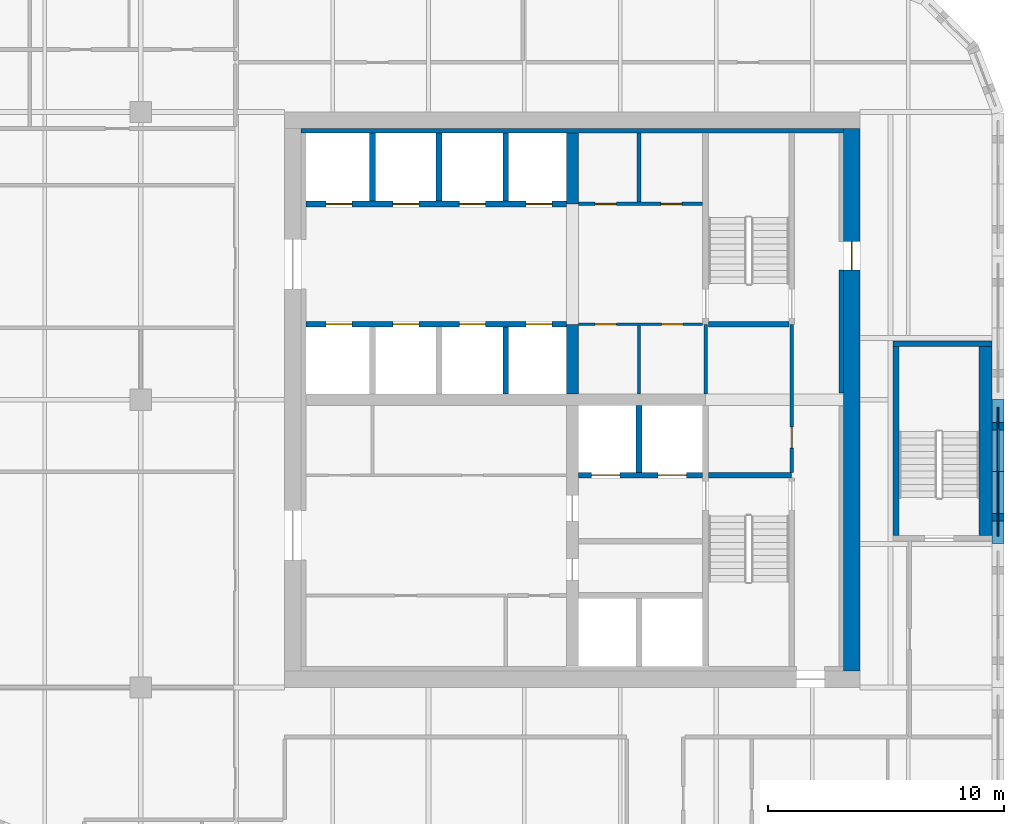
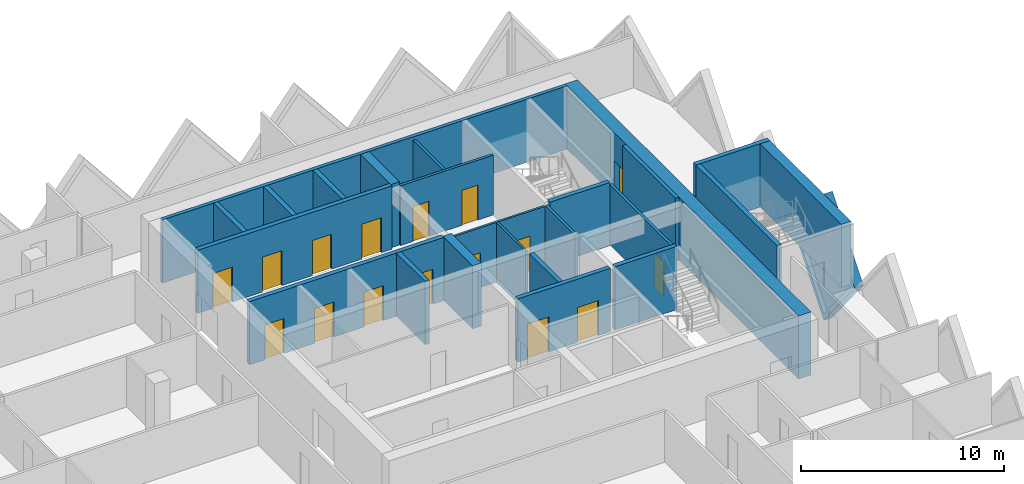
# One storey, part 9 of 12: 25 walls, 16 doors, 1 plate, 17 openings.
"""IFC4 building model written with IfcOpenShell, lengths in metres."""

from ifc_helpers import new_model, si_unit, direction, frame, frame_2d, origin, place, context, subcontext, project, spatial, polyline, rectangle, outline, extrude, source, transform, mapped, material, layer, layer_set, type_object, element, fill, save


model = new_model("IFC4")

# Units and contexts
model_context = context("Model", 3, precision=1e-05, world=origin(), true_north=direction((0.0, 1.0)))
body_context = subcontext(model_context, "Body", "Model", "MODEL_VIEW")
ifc_project = project(units=[si_unit("LENGTHUNIT", "METRE"), si_unit("AREAUNIT", "SQUARE_METRE"), si_unit("VOLUMEUNIT", "CUBIC_METRE"), si_unit("PLANEANGLEUNIT", "RADIAN"), si_unit("MASSUNIT", "GRAM", prefix="KILO")], contexts=[model_context])

# Site, building, storey
site_placement = place(None, origin())
site = spatial("IfcSite", under=ifc_project, at=site_placement, CompositionType="ELEMENT")
building_placement = place(site_placement, origin())
building = spatial("IfcBuilding", under=site, at=building_placement, Name="Tessera Gate Towers", CompositionType="ELEMENT")
storey_placement = place(building_placement, frame((0.0, 0.0, 135.39990234375)))
storey = spatial("IfcBuildingStorey", under=building, at=storey_placement, Name="L33", CompositionType="ELEMENT", Elevation=135.39990234375)

# Wall, openings, doors
ifc_material_1 = material(Name="Concrete C40/50", Category="concrete")
ifc_layer_1 = layer(ifc_material_1, 0.25)
ifc_layer_set_1 = layer_set([ifc_layer_1], Name="CORE ENCLOSURE WALL 250")
wall_type_1 = type_object("IfcWallType", Name="CORE ENCLOSURE WALL 250", PredefinedType="SOLIDWALL", material=ifc_layer_set_1)
wall_1_placement = place(storey_placement, frame((31.39990234375, 39.800048828125, 0.0), z_axis=(0.0, 0.0, 1.0), x_axis=(1.0, 0.0, 0.0)))
wall_1 = element("IfcWall", 1, at=wall_1_placement, inside=storey, type_object=wall_type_1, Name="L33 shaft and stair enclosure wall", PredefinedType="SOLIDWALL", context=body_context, shape_type="SweptSolid", body=[
    extrude(rectangle(XDim=11.050048828125, YDim=0.25, at=frame_2d((5.52490234375, 0.0))), origin(), (0.0, 0.0, 1.0), 3.800048828125),
])
shared_shape_1 = source(origin(), body_context, "Body", "SweptSolid", [
    extrude(rectangle(XDim=1.10009765625, YDim=2.10009765625, at=frame_2d((0.550048828125, 1.050048828125))), frame((0.0, 0.135009765625, 0.0), z_axis=(0.0, -1.0, 0.0), x_axis=(1.0, 0.0, 0.0)), (0.0, 0.0, 1.0), 0.27001953125),
])
opening_1_placement = place(wall_1_placement, frame((0.862548828125, 0.0, 0.0)))
opening_1 = element("IfcOpeningElement", 2, at=opening_1_placement, cuts=wall_1, Name="Opening LD-HR1", PredefinedType="OPENING", context=body_context, shape_type="MappedRepresentation", body=[
    mapped(shared_shape_1, transform((0.0, 0.0, 0.0), scale=1.0)),
])
opening_2_placement = place(wall_1_placement, frame((3.6875, 0.0, 0.0)))
opening_2 = element("IfcOpeningElement", 3, at=opening_2_placement, cuts=wall_1, Name="Opening LD-HR2", PredefinedType="OPENING", context=body_context, shape_type="MappedRepresentation", body=[
    mapped(shared_shape_1, transform((0.0, 0.0, 0.0), scale=1.0)),
])
opening_3_placement = place(wall_1_placement, frame((6.512451171875, 0.0, 0.0)))
opening_3 = element("IfcOpeningElement", 4, at=opening_3_placement, cuts=wall_1, Name="Opening LD-HR3", PredefinedType="OPENING", context=body_context, shape_type="MappedRepresentation", body=[
    mapped(shared_shape_1, transform((0.0, 0.0, 0.0), scale=1.0)),
])
opening_4_placement = place(wall_1_placement, frame((9.33740234375, 0.0, 0.0)))
opening_4 = element("IfcOpeningElement", 5, at=opening_4_placement, cuts=wall_1, Name="Opening LD-HR4", PredefinedType="OPENING", context=body_context, shape_type="MappedRepresentation", body=[
    mapped(shared_shape_1, transform((0.0, 0.0, 0.0), scale=1.0)),
])
ifc_material_2 = material(Name="Stainless steel", Category="steel")
door_type_1 = type_object("IfcDoorType", Name="CORE DOOR LD 1100x2100", OperationType="DOUBLE_DOOR_SLIDING", PredefinedType="DOOR", material=ifc_material_2)
shared_shape_2 = source(origin(), body_context, "Body", "SweptSolid", [
    extrude(rectangle(XDim=1.10009765625, YDim=2.10009765625, at=frame_2d((0.550048828125, 1.050048828125))), frame((0.0, 0.02490234375, 0.0), z_axis=(0.0, -1.0, 0.0), x_axis=(1.0, 0.0, 0.0)), (0.0, 0.0, 1.0), 0.050048828125),
])
door_1_placement = place(opening_1_placement, origin())
door_1 = element("IfcDoor", 6, at=door_1_placement, inside=storey, type_object=door_type_1, Name="Landing door HR1 L33", OperationType="DOUBLE_DOOR_SLIDING", OverallHeight=2.10009765625, OverallWidth=1.10009765625, PredefinedType="DOOR", context=body_context, shape_type="MappedRepresentation", body=[
    mapped(shared_shape_2, transform((0.0, 0.0, 0.0), scale=1.0)),
])
fill(opening_1, door_1)
door_2_placement = place(opening_2_placement, origin())
door_2 = element("IfcDoor", 7, at=door_2_placement, inside=storey, type_object=door_type_1, Name="Landing door HR2 L33", OperationType="DOUBLE_DOOR_SLIDING", OverallHeight=2.10009765625, OverallWidth=1.10009765625, PredefinedType="DOOR", context=body_context, shape_type="MappedRepresentation", body=[
    mapped(shared_shape_2, transform((0.0, 0.0, 0.0), scale=1.0)),
])
fill(opening_2, door_2)
door_3_placement = place(opening_3_placement, origin())
door_3 = element("IfcDoor", 8, at=door_3_placement, inside=storey, type_object=door_type_1, Name="Landing door HR3 L33", OperationType="DOUBLE_DOOR_SLIDING", OverallHeight=2.10009765625, OverallWidth=1.10009765625, PredefinedType="DOOR", context=body_context, shape_type="MappedRepresentation", body=[
    mapped(shared_shape_2, transform((0.0, 0.0, 0.0), scale=1.0)),
])
fill(opening_3, door_3)
door_4_placement = place(opening_4_placement, origin())
door_4 = element("IfcDoor", 9, at=door_4_placement, inside=storey, type_object=door_type_1, Name="Landing door HR4 L33", OperationType="DOUBLE_DOOR_SLIDING", OverallHeight=2.10009765625, OverallWidth=1.10009765625, PredefinedType="DOOR", context=body_context, shape_type="MappedRepresentation", body=[
    mapped(shared_shape_2, transform((0.0, 0.0, 0.0), scale=1.0)),
])
fill(opening_4, door_4)

wall_2_placement = place(storey_placement, frame((42.449951171875, 44.89990234375, 0.0), z_axis=(0.0, 0.0, 1.0), x_axis=(-1.0, 0.0, 0.0)))
wall_2 = element("IfcWall", 10, at=wall_2_placement, inside=storey, type_object=wall_type_1, Name="L33 shaft and stair enclosure wall", PredefinedType="SOLIDWALL", context=body_context, shape_type="SweptSolid", body=[
    extrude(rectangle(XDim=11.050048828125, YDim=0.25, at=frame_2d((5.52490234375, 0.0))), origin(), (0.0, 0.0, 1.0), 3.800048828125),
])
opening_5_placement = place(wall_2_placement, frame((9.08740234375, 0.0, 0.0)))
opening_5 = element("IfcOpeningElement", 11, at=opening_5_placement, cuts=wall_2, Name="Opening LD-HR5", PredefinedType="OPENING", context=body_context, shape_type="MappedRepresentation", body=[
    mapped(shared_shape_1, transform((0.0, 0.0, 0.0), scale=1.0)),
])
opening_6_placement = place(wall_2_placement, frame((6.262451171875, 0.0, 0.0)))
opening_6 = element("IfcOpeningElement", 12, at=opening_6_placement, cuts=wall_2, Name="Opening LD-HR6", PredefinedType="OPENING", context=body_context, shape_type="MappedRepresentation", body=[
    mapped(shared_shape_1, transform((0.0, 0.0, 0.0), scale=1.0)),
])
opening_7_placement = place(wall_2_placement, frame((3.4375, 0.0, 0.0)))
opening_7 = element("IfcOpeningElement", 13, at=opening_7_placement, cuts=wall_2, Name="Opening LD-HR7", PredefinedType="OPENING", context=body_context, shape_type="MappedRepresentation", body=[
    mapped(shared_shape_1, transform((0.0, 0.0, 0.0), scale=1.0)),
])
opening_8_placement = place(wall_2_placement, frame((0.612548828125, 0.0, 0.0)))
opening_8 = element("IfcOpeningElement", 14, at=opening_8_placement, cuts=wall_2, Name="Opening LD-HR8", PredefinedType="OPENING", context=body_context, shape_type="MappedRepresentation", body=[
    mapped(shared_shape_1, transform((0.0, 0.0, 0.0), scale=1.0)),
])
door_5_placement = place(opening_5_placement, origin())
door_5 = element("IfcDoor", 15, at=door_5_placement, inside=storey, type_object=door_type_1, Name="Landing door HR5 L33", OperationType="DOUBLE_DOOR_SLIDING", OverallHeight=2.10009765625, OverallWidth=1.10009765625, PredefinedType="DOOR", context=body_context, shape_type="MappedRepresentation", body=[
    mapped(shared_shape_2, transform((0.0, 0.0, 0.0), scale=1.0)),
])
fill(opening_5, door_5)
door_6_placement = place(opening_6_placement, origin())
door_6 = element("IfcDoor", 16, at=door_6_placement, inside=storey, type_object=door_type_1, Name="Landing door HR6 L33", OperationType="DOUBLE_DOOR_SLIDING", OverallHeight=2.10009765625, OverallWidth=1.10009765625, PredefinedType="DOOR", context=body_context, shape_type="MappedRepresentation", body=[
    mapped(shared_shape_2, transform((0.0, 0.0, 0.0), scale=1.0)),
])
fill(opening_6, door_6)
door_7_placement = place(opening_7_placement, origin())
door_7 = element("IfcDoor", 17, at=door_7_placement, inside=storey, type_object=door_type_1, Name="Landing door HR7 L33", OperationType="DOUBLE_DOOR_SLIDING", OverallHeight=2.10009765625, OverallWidth=1.10009765625, PredefinedType="DOOR", context=body_context, shape_type="MappedRepresentation", body=[
    mapped(shared_shape_2, transform((0.0, 0.0, 0.0), scale=1.0)),
])
fill(opening_7, door_7)
door_8_placement = place(opening_8_placement, origin())
door_8 = element("IfcDoor", 18, at=door_8_placement, inside=storey, type_object=door_type_1, Name="Landing door HR8 L33", OperationType="DOUBLE_DOOR_SLIDING", OverallHeight=2.10009765625, OverallWidth=1.10009765625, PredefinedType="DOOR", context=body_context, shape_type="MappedRepresentation", body=[
    mapped(shared_shape_2, transform((0.0, 0.0, 0.0), scale=1.0)),
])
fill(opening_8, door_8)

wall_3_placement = place(storey_placement, frame((48.22509765625, 33.39990234375, 0.0), z_axis=(0.0, 0.0, 1.0), x_axis=(-1.0, 0.0, 0.0)))
wall_3 = element("IfcWall", 19, at=wall_3_placement, inside=storey, type_object=wall_type_1, Name="L33 shaft and stair enclosure wall", PredefinedType="SOLIDWALL", context=body_context, shape_type="SweptSolid", body=[
    extrude(rectangle(XDim=5.275146484375, YDim=0.25, at=frame_2d((2.6376953125, 0.0))), origin(), (0.0, 0.0, 1.0), 3.800048828125),
])
shared_shape_3 = source(origin(), body_context, "Body", "SweptSolid", [
    extrude(rectangle(XDim=1.199951171875, YDim=2.10009765625, at=frame_2d((0.60009765625, 1.050048828125))), frame((0.0, 0.135009765625, 0.0), z_axis=(0.0, -1.0, 0.0), x_axis=(1.0, 0.0, 0.0)), (0.0, 0.0, 1.0), 0.27001953125),
])
opening_9_placement = place(wall_3_placement, frame((3.512451171875, 0.0, 0.0)))
opening_9 = element("IfcOpeningElement", 20, at=opening_9_placement, cuts=wall_3, Name="Opening LD-FF1", PredefinedType="OPENING", context=body_context, shape_type="MappedRepresentation", body=[
    mapped(shared_shape_3, transform((0.0, 0.0, 0.0), scale=1.0)),
])
opening_10_placement = place(wall_3_placement, frame((0.6875, 0.0, 0.0)))
opening_10 = element("IfcOpeningElement", 21, at=opening_10_placement, cuts=wall_3, Name="Opening LD-FF2", PredefinedType="OPENING", context=body_context, shape_type="MappedRepresentation", body=[
    mapped(shared_shape_3, transform((0.0, 0.0, 0.0), scale=1.0)),
])
ifc_material_3 = material(Name="Stainless steel", Category="steel")
door_type_2 = type_object("IfcDoorType", Name="CORE DOOR LD1200 1200x2100", OperationType="DOUBLE_DOOR_SLIDING", PredefinedType="DOOR", material=ifc_material_3)
shared_shape_4 = source(origin(), body_context, "Body", "SweptSolid", [
    extrude(rectangle(XDim=1.199951171875, YDim=2.10009765625, at=frame_2d((0.60009765625, 1.050048828125))), frame((0.0, 0.02490234375, 0.0), z_axis=(0.0, -1.0, 0.0), x_axis=(1.0, 0.0, 0.0)), (0.0, 0.0, 1.0), 0.050048828125),
])
door_9_placement = place(opening_9_placement, origin())
door_9 = element("IfcDoor", 22, at=door_9_placement, inside=storey, type_object=door_type_2, Name="Landing door FF1 L33", OperationType="DOUBLE_DOOR_SLIDING", OverallHeight=2.10009765625, OverallWidth=1.199951171875, PredefinedType="DOOR", context=body_context, shape_type="MappedRepresentation", body=[
    mapped(shared_shape_4, transform((0.0, 0.0, 0.0), scale=1.0)),
])
fill(opening_9, door_9)
door_10_placement = place(opening_10_placement, origin())
door_10 = element("IfcDoor", 23, at=door_10_placement, inside=storey, type_object=door_type_2, Name="Landing door FF2 L33", OperationType="DOUBLE_DOOR_SLIDING", OverallHeight=2.10009765625, OverallWidth=1.199951171875, PredefinedType="DOOR", context=body_context, shape_type="MappedRepresentation", body=[
    mapped(shared_shape_4, transform((0.0, 0.0, 0.0), scale=1.0)),
])
fill(opening_10, door_10)

# Walls
wall_4_placement = place(storey_placement, frame((48.47509765625, 33.39990234375, 0.0), z_axis=(0.0, 0.0, 1.0), x_axis=(1.0, 0.0, 0.0)))
element("IfcWall", 24, at=wall_4_placement, inside=storey, type_object=wall_type_1, Name="L33 shaft and stair enclosure wall", PredefinedType="SOLIDWALL", context=body_context, shape_type="SweptSolid", body=[
    extrude(rectangle(XDim=3.52490234375, YDim=0.25, at=frame_2d((1.762451171875, 0.0))), origin(), (0.0, 0.0, 1.0), 3.800048828125),
])
wall_5_placement = place(storey_placement, frame((48.47509765625, 39.800048828125, 0.0), z_axis=(0.0, 0.0, 1.0), x_axis=(1.0, 0.0, 0.0)))
element("IfcWall", 25, at=wall_5_placement, inside=storey, type_object=wall_type_1, Name="L33 shaft and stair enclosure wall", PredefinedType="SOLIDWALL", context=body_context, shape_type="SweptSolid", body=[
    extrude(rectangle(XDim=3.39990234375, YDim=0.25, at=frame_2d((1.699951171875, 0.0))), origin(), (0.0, 0.0, 1.0), 3.800048828125),
])
wall_6_placement = place(storey_placement, frame((39.875, 36.85009765625, 0.0), z_axis=(0.0, 0.0, 1.0), x_axis=(0.0, 1.0, 0.0)))
element("IfcWall", 26, at=wall_6_placement, inside=storey, type_object=wall_type_1, Name="L33 shaft and stair enclosure wall", PredefinedType="SOLIDWALL", context=body_context, shape_type="SweptSolid", body=[
    extrude(rectangle(XDim=2.824951171875, YDim=0.25, at=frame_2d((1.41259765625, 0.0))), origin(), (0.0, 0.0, 1.0), 3.800048828125),
])
wall_7_placement = place(storey_placement, frame((45.52490234375, 33.52490234375, 0.0), z_axis=(0.0, 0.0, 1.0), x_axis=(0.0, 1.0, 0.0)))
element("IfcWall", 27, at=wall_7_placement, inside=storey, type_object=wall_type_1, Name="L33 shaft and stair enclosure wall", PredefinedType="SOLIDWALL", context=body_context, shape_type="SweptSolid", body=[
    extrude(rectangle(XDim=2.8251953125, YDim=0.25, at=frame_2d((1.41259765625, 0.0))), origin(), (0.0, 0.0, 1.0), 3.800048828125),
])
for number, where, z_axis, x_axis, name in (
    (28, (34.22509765625, 45.02490234375, 0.0), (0.0, 0.0, 1.0), (0.0, 1.0, 0.0), "L33 shaft and stair enclosure wall"),
    (29, (37.050048828125, 45.02490234375, 0.0), (0.0, 0.0, 1.0), (0.0, 1.0, 0.0), "L33 shaft and stair enclosure wall"),
    (30, (39.875, 45.02490234375, 0.0), (0.0, 0.0, 1.0), (0.0, 1.0, 0.0), "L33 shaft and stair enclosure wall"),
):
    element("IfcWall", number, at=place(storey_placement, frame(where, z_axis=z_axis, x_axis=x_axis)), inside=storey, type_object=wall_type_1, Name=name, PredefinedType="SOLIDWALL", context=body_context, shape_type="SweptSolid", body=[
        extrude(rectangle(XDim=2.875, YDim=0.25, at=frame_2d((1.4375, 0.0))), origin(), (0.0, 0.0, 1.0), 3.800048828125),
    ])
wall_8_placement = place(storey_placement, frame((56.425048828125, 30.85009765625, 0.0), z_axis=(0.0, 0.0, 1.0), x_axis=(0.0, 1.0, 0.0)))
element("IfcWall", 31, at=wall_8_placement, inside=storey, type_object=wall_type_1, Name="L33 ST5 enclosure wall", PredefinedType="SOLIDWALL", context=body_context, shape_type="SweptSolid", body=[
    extrude(rectangle(XDim=8.0, YDim=0.25, at=frame_2d((4.0, 0.0))), origin(), (0.0, 0.0, 1.0), 3.800048828125),
])
wall_9_placement = place(storey_placement, frame((56.300048828125, 38.97509765625, 0.0), z_axis=(0.0, 0.0, 1.0), x_axis=(1.0, 0.0, 0.0)))
element("IfcWall", 32, at=wall_9_placement, inside=storey, type_object=wall_type_1, Name="L33 ST5 enclosure wall", PredefinedType="SOLIDWALL", context=body_context, shape_type="SweptSolid", body=[
    extrude(rectangle(XDim=4.199951171875, YDim=0.25, at=frame_2d((2.10009765625, 0.0))), origin(), (0.0, 0.0, 1.0), 3.800048828125),
])
ifc_material_4 = material(Name="Concrete C40/50", Category="concrete")
ifc_layer_2 = layer(ifc_material_4, 0.550048828125)
ifc_layer_set_2 = layer_set([ifc_layer_2], Name="CORE ENCLOSURE WALL 550")
wall_type_2 = type_object("IfcWallType", Name="CORE ENCLOSURE WALL 550", PredefinedType="SOLIDWALL", material=ifc_layer_set_2)
wall_10_placement = place(storey_placement, frame((60.22509765625, 38.85009765625, 0.0), z_axis=(0.0, 0.0, 1.0), x_axis=(0.0, -1.0, 0.0)))
element("IfcWall", 33, at=wall_10_placement, inside=storey, type_object=wall_type_2, Name="L33 ST5 enclosure wall", PredefinedType="SOLIDWALL", context=body_context, shape_type="SweptSolid", body=[
    extrude(rectangle(XDim=8.0, YDim=0.550048828125, at=frame_2d((4.0, 0.0))), origin(), (0.0, 0.0, 1.0), 3.800048828125),
])

# Wall, openings, doors
ifc_material_5 = material(Name="Gypsum board on steel studs", Category="steel")
ifc_layer_3 = layer(ifc_material_5, 0.1201171875)
ifc_layer_set_3 = layer_set([ifc_layer_3], Name="CORE PARTITION 120")
wall_type_3 = type_object("IfcWallType", Name="CORE PARTITION 120", PredefinedType="PARTITIONING", material=ifc_layer_set_3)
wall_11_placement = place(storey_placement, frame((48.22509765625, 39.800048828125, 0.0), z_axis=(0.0, 0.0, 1.0), x_axis=(-1.0, 0.0, 0.0)))
wall_11 = element("IfcWall", 34, at=wall_11_placement, inside=storey, type_object=wall_type_3, Name="L33 core partition", PredefinedType="PARTITIONING", context=body_context, shape_type="SweptSolid", body=[
    extrude(rectangle(XDim=5.275146484375, YDim=0.1201171875, at=frame_2d((2.6376953125, 0.0))), origin(), (0.0, 0.0, 1.0), 3.60009765625),
])
shared_shape_5 = source(origin(), body_context, "Body", "SweptSolid", [
    extrude(rectangle(XDim=0.89990234375, YDim=2.10009765625, at=frame_2d((0.449951171875, 1.050048828125))), frame((0.0, 0.070068359375, 0.0), z_axis=(0.0, -1.0, 0.0), x_axis=(1.0, 0.0, 0.0)), (0.0, 0.0, 1.0), 0.14013671875),
])
opening_11_placement = place(wall_11_placement, frame((3.66259765625, 0.0, 0.0)))
opening_11 = element("IfcOpeningElement", 35, at=opening_11_placement, cuts=wall_11, Name="Opening RD-T1-22-11", PredefinedType="OPENING", context=body_context, shape_type="MappedRepresentation", body=[
    mapped(shared_shape_5, transform((0.0, 0.0, 0.0), scale=1.0)),
])
opening_12_placement = place(wall_11_placement, frame((0.83740234375, 0.0, 0.0)))
opening_12 = element("IfcOpeningElement", 36, at=opening_12_placement, cuts=wall_11, Name="Opening RD-T1-22-12", PredefinedType="OPENING", context=body_context, shape_type="MappedRepresentation", body=[
    mapped(shared_shape_5, transform((0.0, 0.0, 0.0), scale=1.0)),
])
ifc_material_6 = material(Name="Hollow steel fire door", Category="steel")
door_type_3 = type_object("IfcDoorType", Name="CORE DOOR RD 900x2100", OperationType="NOTDEFINED", PredefinedType="DOOR", material=ifc_material_6)
shared_shape_6 = source(origin(), body_context, "Body", "SweptSolid", [
    extrude(rectangle(XDim=0.89990234375, YDim=2.10009765625, at=frame_2d((0.449951171875, 1.050048828125))), frame((0.0, 0.02490234375, 0.0), z_axis=(0.0, -1.0, 0.0), x_axis=(1.0, 0.0, 0.0)), (0.0, 0.0, 1.0), 0.050048828125),
])
door_11_placement = place(opening_11_placement, origin())
door_11 = element("IfcDoor", 37, at=door_11_placement, inside=storey, type_object=door_type_3, Name="Core room door", OperationType="SINGLE_SWING_RIGHT", OverallHeight=2.10009765625, OverallWidth=0.89990234375, PredefinedType="DOOR", context=body_context, shape_type="MappedRepresentation", body=[
    mapped(shared_shape_6, transform((0.0, 0.0, 0.0), scale=1.0)),
])
fill(opening_11, door_11)
door_12_placement = place(opening_12_placement, origin())
door_12 = element("IfcDoor", 38, at=door_12_placement, inside=storey, type_object=door_type_3, Name="Core room door", OperationType="SINGLE_SWING_LEFT", OverallHeight=2.10009765625, OverallWidth=0.89990234375, PredefinedType="DOOR", context=body_context, shape_type="MappedRepresentation", body=[
    mapped(shared_shape_6, transform((0.0, 0.0, 0.0), scale=1.0)),
])
fill(opening_12, door_12)

# Wall
wall_12_placement = place(storey_placement, frame((45.52490234375, 36.85009765625, 0.0), z_axis=(0.0, 0.0, 1.0), x_axis=(0.0, 1.0, 0.0)))
element("IfcWall", 39, at=wall_12_placement, inside=storey, type_object=wall_type_3, Name="L33 core partition", PredefinedType="PARTITIONING", context=body_context, shape_type="SweptSolid", body=[
    extrude(rectangle(XDim=2.889892578125, YDim=0.1201171875, at=frame_2d((1.44482421875, 0.0))), origin(), (0.0, 0.0, 1.0), 3.60009765625),
])

# Wall, opening, door
ifc_material_7 = material(Name="Concrete C60/75", Category="concrete")
ifc_layer_4 = layer(ifc_material_7, 0.699951171875)
ifc_layer_set_4 = layer_set([ifc_layer_4], Name="CORE SHEAR WALL 700 C60/75")
wall_type_4 = type_object("IfcWallType", Name="CORE SHEAR WALL 700 C60/75", PredefinedType="SHEAR", material=ifc_layer_set_4)
wall_13_placement = place(storey_placement, frame((54.550048828125, 48.10009765625, 0.0), z_axis=(0.0, 0.0, 1.0), x_axis=(0.0, -1.0, 0.0)))
wall_13 = element("IfcWall", 40, at=wall_13_placement, inside=storey, type_object=wall_type_4, Name="Core wall E L33", PredefinedType="SHEAR", context=body_context, shape_type="SweptSolid", body=[
    extrude(rectangle(XDim=23.0, YDim=0.699951171875, at=frame_2d((11.5, 0.0))), origin(), (0.0, 0.0, 1.0), 3.800048828125),
])
shared_shape_7 = source(origin(), body_context, "Body", "SweptSolid", [
    extrude(rectangle(XDim=1.199951171875, YDim=2.10009765625, at=frame_2d((0.60009765625, 1.050048828125))), frame((0.0, 0.35986328125, 0.0), z_axis=(0.0, -1.0, 0.0), x_axis=(1.0, 0.0, 0.0)), (0.0, 0.0, 1.0), 0.719970703125),
])
opening_13_placement = place(wall_13_placement, frame((4.800048828125, 0.0, 0.0)))
opening_13 = element("IfcOpeningElement", 41, at=opening_13_placement, cuts=wall_13, Name="Opening ED-T1-22-04", PredefinedType="OPENING", context=body_context, shape_type="MappedRepresentation", body=[
    mapped(shared_shape_7, transform((0.0, 0.0, 0.0), scale=1.0)),
])
ifc_material_8 = material(Name="Hollow steel fire door", Category="steel")
door_type_4 = type_object("IfcDoorType", Name="CORE DOOR ED 1200x2100", OperationType="NOTDEFINED", PredefinedType="DOOR", material=ifc_material_8)
door_13_placement = place(opening_13_placement, origin())
door_13 = element("IfcDoor", 42, at=door_13_placement, inside=storey, type_object=door_type_4, Name="Core exit door", OperationType="SINGLE_SWING_LEFT", OverallHeight=2.10009765625, OverallWidth=1.199951171875, PredefinedType="DOOR", context=body_context, shape_type="MappedRepresentation", body=[
    mapped(shared_shape_4, transform((0.0, 0.0, 0.0), scale=1.0)),
])
fill(opening_13, door_13)

# Walls
ifc_material_9 = material(Name="Concrete C60/75", Category="concrete")
ifc_layer_5 = layer(ifc_material_9, 0.5)
ifc_layer_set_5 = layer_set([ifc_layer_5], Name="CORE SPINE WALL 500 C60/75")
wall_type_5 = type_object("IfcWallType", Name="CORE SPINE WALL 500 C60/75", PredefinedType="SHEAR", material=ifc_layer_set_5)
wall_14_placement = place(storey_placement, frame((42.699951171875, 36.85009765625, 0.0), z_axis=(0.0, 0.0, 1.0), x_axis=(0.0, 1.0, 0.0)))
element("IfcWall", 43, at=wall_14_placement, inside=storey, type_object=wall_type_5, Name="Core wall spine L33", PredefinedType="SHEAR", context=body_context, shape_type="SweptSolid", body=[
    extrude(rectangle(XDim=2.949951171875, YDim=0.5, at=frame_2d((1.47509765625, 0.0))), origin(), (0.0, 0.0, 1.0), 3.800048828125),
])
wall_15_placement = place(storey_placement, frame((42.699951171875, 44.89990234375, 0.0), z_axis=(0.0, 0.0, 1.0), x_axis=(0.0, 1.0, 0.0)))
element("IfcWall", 44, at=wall_15_placement, inside=storey, type_object=wall_type_5, Name="Core wall spine L33", PredefinedType="SHEAR", context=body_context, shape_type="SweptSolid", body=[
    extrude(rectangle(XDim=3.0, YDim=0.5, at=frame_2d((1.5, 0.0))), origin(), (0.0, 0.0, 1.0), 3.800048828125),
])
ifc_material_10 = material(Name="Concrete C60/75", Category="concrete")
ifc_layer_6 = layer(ifc_material_10, 0.199951171875)
ifc_layer_set_6 = layer_set([ifc_layer_6], Name="CORE WALL THICKENING 200")
wall_type_6 = type_object("IfcWallType", Name="CORE WALL THICKENING 200", PredefinedType="SOLIDWALL", material=ifc_layer_set_6)
wall_16_placement = place(storey_placement, frame((31.199951171875, 48.0, 0.0), z_axis=(0.0, 0.0, 1.0), x_axis=(1.0, 0.0, 0.0)))
element("IfcWall", 45, at=wall_16_placement, inside=storey, type_object=wall_type_6, Name="Core wall thickening N L33", PredefinedType="SOLIDWALL", context=body_context, shape_type="SweptSolid", body=[
    extrude(rectangle(XDim=23.0, YDim=0.199951171875, at=frame_2d((11.5, 0.0))), origin(), (0.0, 0.0, 1.0), 3.800048828125),
])
wall_17_placement = place(storey_placement, frame((54.10009765625, 36.8798828125, 0.0), z_axis=(0.0, 0.0, 1.0), x_axis=(0.0, 1.0, 0.0)))
element("IfcWall", 46, at=wall_17_placement, inside=storey, type_object=wall_type_6, Name="Core wall thickening E L33", PredefinedType="SOLIDWALL", context=body_context, shape_type="SweptSolid", body=[
    extrude(rectangle(XDim=5.22021484375, YDim=0.199951171875, at=frame_2d((2.610107421875, 0.0))), origin(), (0.0, 0.0, 1.0), 3.800048828125),
])

# Wall, opening, door
ifc_material_11 = material(Name="Gypsum board on steel studs", Category="steel")
ifc_layer_7 = layer(ifc_material_11, 0.14990234375)
ifc_layer_set_7 = layer_set([ifc_layer_7], Name="SERVICE ROOM WALL 150")
wall_type_7 = type_object("IfcWallType", Name="SERVICE ROOM WALL 150", PredefinedType="PARTITIONING", material=ifc_layer_set_7)
wall_18_placement = place(storey_placement, frame((52.0, 33.52490234375, 0.0), z_axis=(0.0, 0.0, 1.0), x_axis=(0.0, 1.0, 0.0)))
wall_18 = element("IfcWall", 47, at=wall_18_placement, inside=storey, type_object=wall_type_7, Name="L33 service room wall", PredefinedType="PARTITIONING", context=body_context, shape_type="SweptSolid", body=[
    extrude(rectangle(XDim=6.275146484375, YDim=0.14990234375, at=frame_2d((3.1376953125, 0.0))), origin(), (0.0, 0.0, 1.0), 3.60009765625),
])
shared_shape_8 = source(origin(), body_context, "Body", "SweptSolid", [
    extrude(rectangle(XDim=0.89990234375, YDim=2.10009765625, at=frame_2d((0.449951171875, 1.050048828125))), frame((0.0, 0.0849609375, 0.0), z_axis=(0.0, -1.0, 0.0), x_axis=(1.0, 0.0, 0.0)), (0.0, 0.0, 1.0), 0.169921875),
])
opening_14_placement = place(wall_18_placement, frame((1.02490234375, 0.0, 0.0)))
opening_14 = element("IfcOpeningElement", 48, at=opening_14_placement, cuts=wall_18, Name="Opening RD-T1-22-10", PredefinedType="OPENING", context=body_context, shape_type="MappedRepresentation", body=[
    mapped(shared_shape_8, transform((0.0, 0.0, 0.0), scale=1.0)),
])
door_14_placement = place(opening_14_placement, origin())
door_14 = element("IfcDoor", 49, at=door_14_placement, inside=storey, type_object=door_type_3, Name="Core room door", OperationType="SINGLE_SWING_LEFT", OverallHeight=2.10009765625, OverallWidth=0.89990234375, PredefinedType="DOOR", context=body_context, shape_type="MappedRepresentation", body=[
    mapped(shared_shape_6, transform((0.0, 0.0, 0.0), scale=1.0)),
])
fill(opening_14, door_14)

# Wall, openings, doors
wall_19_placement = place(storey_placement, frame((42.949951171875, 44.89990234375, 0.0), z_axis=(0.0, 0.0, 1.0), x_axis=(1.0, 0.0, 0.0)))
wall_19 = element("IfcWall", 50, at=wall_19_placement, inside=storey, type_object=wall_type_7, Name="L33 service room wall", PredefinedType="PARTITIONING", context=body_context, shape_type="SweptSolid", body=[
    extrude(rectangle(XDim=5.275146484375, YDim=0.14990234375, at=frame_2d((2.6376953125, 0.0))), origin(), (0.0, 0.0, 1.0), 3.60009765625),
])
opening_15_placement = place(wall_19_placement, frame((0.71240234375, 0.0, 0.0)))
opening_15 = element("IfcOpeningElement", 51, at=opening_15_placement, cuts=wall_19, Name="Opening RD-T1-22-13", PredefinedType="OPENING", context=body_context, shape_type="MappedRepresentation", body=[
    mapped(shared_shape_8, transform((0.0, 0.0, 0.0), scale=1.0)),
])
opening_16_placement = place(wall_19_placement, frame((3.5, 0.0, 0.0)))
opening_16 = element("IfcOpeningElement", 52, at=opening_16_placement, cuts=wall_19, Name="Opening RD-T1-22-14", PredefinedType="OPENING", context=body_context, shape_type="MappedRepresentation", body=[
    mapped(shared_shape_8, transform((0.0, 0.0, 0.0), scale=1.0)),
])
door_15_placement = place(opening_15_placement, origin())
door_15 = element("IfcDoor", 53, at=door_15_placement, inside=storey, type_object=door_type_3, Name="Core room door", OperationType="SINGLE_SWING_LEFT", OverallHeight=2.10009765625, OverallWidth=0.89990234375, PredefinedType="DOOR", context=body_context, shape_type="MappedRepresentation", body=[
    mapped(shared_shape_6, transform((0.0, 0.0, 0.0), scale=1.0)),
])
fill(opening_15, door_15)
door_16_placement = place(opening_16_placement, origin())
door_16 = element("IfcDoor", 54, at=door_16_placement, inside=storey, type_object=door_type_3, Name="Core room door", OperationType="SINGLE_SWING_RIGHT", OverallHeight=2.10009765625, OverallWidth=0.89990234375, PredefinedType="DOOR", context=body_context, shape_type="MappedRepresentation", body=[
    mapped(shared_shape_6, transform((0.0, 0.0, 0.0), scale=1.0)),
])
fill(opening_16, door_16)

# Walls
wall_20_placement = place(storey_placement, frame((48.35009765625, 36.85009765625, 0.0), z_axis=(0.0, 0.0, 1.0), x_axis=(0.0, 1.0, 0.0)))
element("IfcWall", 55, at=wall_20_placement, inside=storey, type_object=wall_type_7, Name="L33 service room wall", PredefinedType="PARTITIONING", context=body_context, shape_type="SweptSolid", body=[
    extrude(rectangle(XDim=2.949951171875, YDim=0.14990234375, at=frame_2d((1.47509765625, 0.0))), origin(), (0.0, 0.0, 1.0), 3.60009765625),
])
wall_21_placement = place(storey_placement, frame((45.52490234375, 44.97509765625, 0.0), z_axis=(0.0, 0.0, 1.0), x_axis=(0.0, 1.0, 0.0)))
element("IfcWall", 56, at=wall_21_placement, inside=storey, type_object=wall_type_7, Name="L33 service room wall", PredefinedType="PARTITIONING", context=body_context, shape_type="SweptSolid", body=[
    extrude(rectangle(XDim=2.9248046875, YDim=0.14990234375, at=frame_2d((1.46240234375, 0.0))), origin(), (0.0, 0.0, 1.0), 3.60009765625),
])

# Wall, opening, plate
ifc_material_12 = material(Name="Precast concrete C60/75 white", Category="concrete")
ifc_layer_8 = layer(ifc_material_12, 0.5)
ifc_layer_set_8 = layer_set([ifc_layer_8], Name="TS1 tessera")
wall_type_8 = type_object("IfcWallType", Name="TS1 tessera", PredefinedType="SOLIDWALL", material=ifc_layer_set_8)
shared_shape_9 = source(origin(), body_context, "Body", "SweptSolid", [
    extrude(outline(polyline([(3.050048828125, 0.0), (6.10009765625, 3.7998046875), (3.050048828125, 7.599853515625), (0.0, 3.7998046875), (3.050048828125, 0.0)])), frame((0.0, 0.25, 0.0), z_axis=(0.0, -1.0, 0.0), x_axis=(1.0, 0.0, 0.0)), (0.0, 0.0, 1.0), 0.5),
])
wall_22_placement = place(storey_placement, frame((60.75, 30.5, -3.7998046875), z_axis=(0.0, 0.0, 1.0), x_axis=(0.0, 1.0, 0.0)))
wall_22 = element("IfcWall", 57, at=wall_22_placement, inside=storey, type_object=wall_type_8, Name="Precast tessera T1 TS1-0559", PredefinedType="SOLIDWALL", context=body_context, shape_type="MappedRepresentation", body=[
    mapped(shared_shape_9, transform((0.0, 0.0, 0.0), scale=1.0)),
])
shared_shape_10 = source(origin(), body_context, "Body", "SweptSolid", [
    extrude(outline(polyline([(3.050048828125, 0.3994140625), (5.779541015625, 3.7998046875), (3.050048828125, 7.200439453125), (0.320556640625, 3.7998046875), (3.050048828125, 0.3994140625)])), frame((0.0, 0.260009765625, 0.0), z_axis=(0.0, -1.0, 0.0), x_axis=(1.0, 0.0, 0.0)), (0.0, 0.0, 1.0), 0.52001953125),
])
opening_17_placement = place(wall_22_placement, origin())
opening_17 = element("IfcOpeningElement", 58, at=opening_17_placement, cuts=wall_22, Name="Opening T1-PL2-1141", PredefinedType="OPENING", context=body_context, shape_type="MappedRepresentation", body=[
    mapped(shared_shape_10, transform((0.0, 0.0, 0.0), scale=1.0)),
])
ifc_material_13 = material(Name="Low-e laminated glass", Category="glass")
ifc_layer_9 = layer(ifc_material_13, 0.06005859375)
ifc_layer_set_9 = layer_set([ifc_layer_9], Name="PL2 rhombic pane")
plate_type = type_object("IfcPlateType", Name="PL2 rhombic pane", PredefinedType="SHEET", material=ifc_layer_set_9)
shared_shape_11 = source(origin(), body_context, "Body", "SweptSolid", [
    extrude(outline(polyline([(3.050048828125, 0.3994140625), (5.779541015625, 3.7998046875), (3.050048828125, 7.200439453125), (0.320556640625, 3.7998046875), (3.050048828125, 0.3994140625)])), frame((0.0, 0.030029296875, 0.0), z_axis=(0.0, -1.0, 0.0), x_axis=(1.0, 0.0, 0.0)), (0.0, 0.0, 1.0), 0.06005859375),
])
plate_placement = place(opening_17_placement, origin())
plate = element("IfcPlate", 59, at=plate_placement, inside=storey, type_object=plate_type, Name="Glass pane T1 PL2-1141", PredefinedType="SHEET", context=body_context, shape_type="MappedRepresentation", body=[
    mapped(shared_shape_11, transform((0.0, 0.0, 0.0), scale=1.0)),
])
fill(opening_17, plate)

save(model, "model.ifc")
